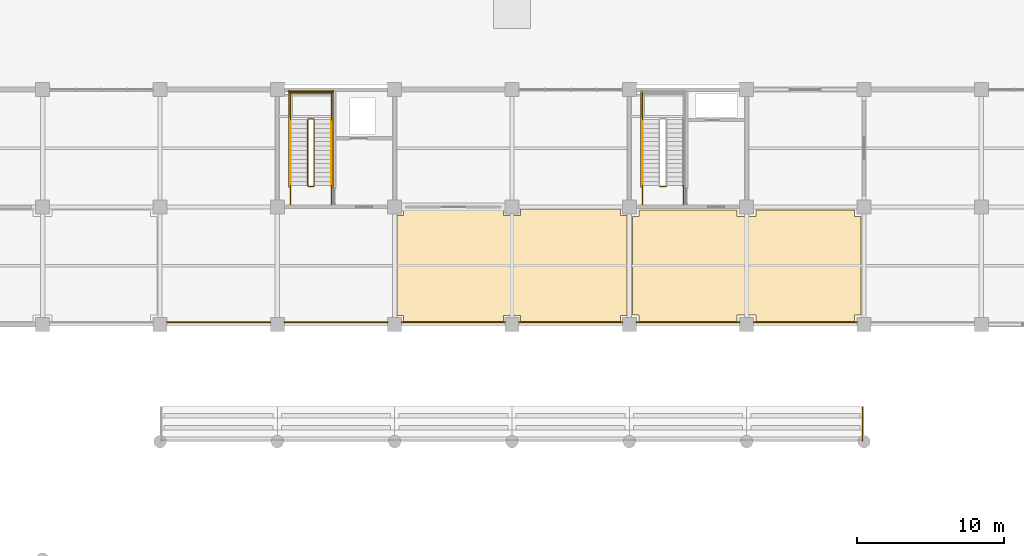
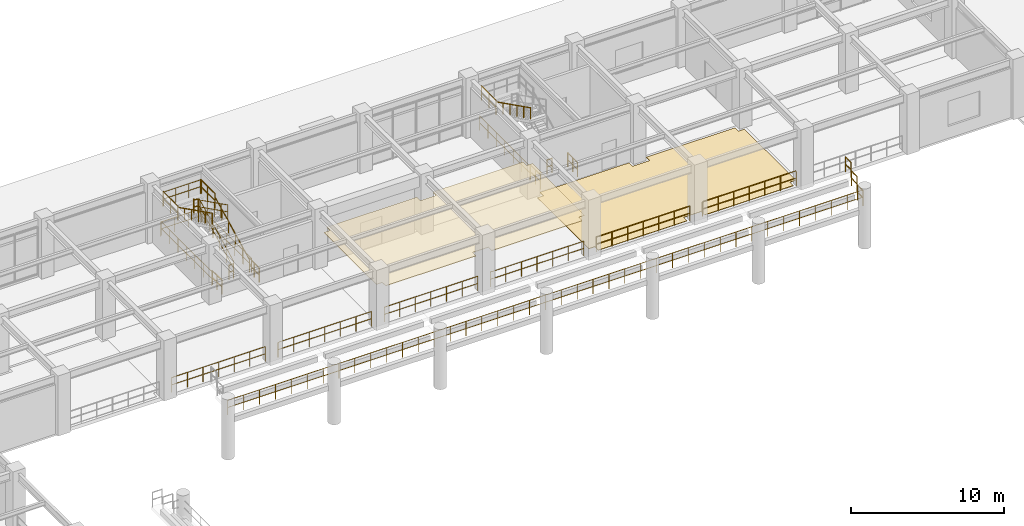
# One storey, part 107 of 109: 30 railings, 2 coverings.
"""IFC4 building model written with IfcOpenShell, lengths in metres."""

from ifc_helpers import new_model, si_unit, direction, frame, origin, origin_2d, place, context, subcontext, project, spatial, polyline, circle, outline, extrude, material, layer, layer_set, type_object, element, save


model = new_model("IFC4")

# Units and contexts
model_context = context("Model", 3, precision=1e-05, world=origin(), true_north=direction((0.0, 1.0)))
body_context = subcontext(model_context, "Body", "Model", "MODEL_VIEW")
ifc_project = project(units=[si_unit("LENGTHUNIT", "METRE"), si_unit("AREAUNIT", "SQUARE_METRE"), si_unit("VOLUMEUNIT", "CUBIC_METRE"), si_unit("PLANEANGLEUNIT", "RADIAN"), si_unit("MASSUNIT", "GRAM", prefix="KILO")], contexts=[model_context])

# Site, building, storey
site_placement = place(None, origin())
site = spatial("IfcSite", under=ifc_project, at=site_placement, CompositionType="ELEMENT")
building_placement = place(site_placement, origin())
building = spatial("IfcBuilding", under=site, at=building_placement, Name="Haebicheon Civic Stadium", CompositionType="ELEMENT")
storey_placement = place(building_placement, frame((0.0, 0.0, 9.60009765625)))
storey = spatial("IfcBuildingStorey", under=building, at=storey_placement, Name="L03", CompositionType="ELEMENT", Elevation=9.60009765625)

# Coverings
ifc_material_1 = material(Name="Perforated mineral-fibre acoustic board", Category="gypsum")
ifc_layer_1 = layer(ifc_material_1, 0.0400390625, Name="Perforated mineral-fibre acoustic board")
ifc_layer_set_1 = layer_set([ifc_layer_1], Name="Perforated mineral-fibre acoustic board")
covering_type_1 = type_object("IfcCoveringType", Name="COV-CLG-AC", PredefinedType="CEILING", material=ifc_layer_set_1)
covering_1_placement = place(storey_placement, frame((0.0, 0.0, 2.809814453125)))
element("IfcCovering", 1, at=covering_1_placement, inside=storey, type_object=covering_type_1, material=ifc_layer_set_1, Name="L03 East Bowl Club Concourse acoustic ceiling", PredefinedType="CEILING", context=body_context, shape_type="SweptSolid", body=[
    extrude(outline(polyline([(96.14501953125, 159.405029296875), (96.594970703125, 159.405029296875), (96.594970703125, 159.85498046875), (103.405029296875, 159.85498046875), (103.405029296875, 159.405029296875), (104.594970703125, 159.405029296875), (104.594970703125, 159.85498046875), (111.405029296875, 159.85498046875), (111.405029296875, 159.405029296875), (111.85498046875, 159.405029296875), (111.85498046875, 152.594970703125), (111.405029296875, 152.594970703125), (111.405029296875, 152.14501953125), (104.594970703125, 152.14501953125), (104.594970703125, 152.594970703125), (103.405029296875, 152.594970703125), (103.405029296875, 152.14501953125), (96.594970703125, 152.14501953125), (96.594970703125, 152.594970703125), (96.14501953125, 152.594970703125), (96.14501953125, 159.405029296875)])), origin(), (0.0, 0.0, 1.0), 0.0400390625),
])
ifc_material_2 = material(Name="Quartz epoxy resin mortar", Category="concrete")
ifc_layer_2 = layer(ifc_material_2, 0.030029296875, Name="Quartz epoxy resin mortar")
ifc_layer_set_2 = layer_set([ifc_layer_2], Name="Quartz epoxy resin mortar")
covering_type_2 = type_object("IfcCoveringType", Name="COV-FLR-EPX", PredefinedType="FLOORING", material=ifc_layer_set_2)
covering_2_placement = place(storey_placement, origin())
element("IfcCovering", 2, at=covering_2_placement, inside=storey, type_object=covering_type_2, material=ifc_layer_set_2, Name="L03 Club Finishing Kitchen non-slip floor finish", PredefinedType="FLOORING", context=body_context, shape_type="SweptSolid", body=[
    extrude(outline(polyline([(112.199951171875, 159.35009765625), (112.64990234375, 159.35009765625), (112.64990234375, 159.800048828125), (119.35009765625, 159.800048828125), (119.35009765625, 159.35009765625), (120.64990234375, 159.35009765625), (120.64990234375, 159.800048828125), (127.35009765625, 159.800048828125), (127.35009765625, 159.35009765625), (127.800048828125, 159.35009765625), (127.800048828125, 152.64990234375), (127.35009765625, 152.64990234375), (127.35009765625, 152.199951171875), (120.64990234375, 152.199951171875), (120.64990234375, 152.64990234375), (119.35009765625, 152.64990234375), (119.35009765625, 152.199951171875), (112.64990234375, 152.199951171875), (112.64990234375, 152.64990234375), (112.199951171875, 152.64990234375), (112.199951171875, 159.35009765625)])), origin(), (0.0, 0.0, 1.0), 0.02978515625),
])

# Railings
ifc_material_3 = material(Name="Stainless steel 316 and laminated glass", Category="steel")
railing_type_1 = type_object("IfcRailingType", Name="RL-BAL-1200", PredefinedType="BALUSTRADE", material=ifc_material_3)
for number, where, name in (
    (3, (80.47509765625, 152.139892578125, 0.0), "L03 concourse bowl-edge balustrade 058"),
    (4, (88.47509765625, 152.139892578125, 0.0), "L03 concourse bowl-edge balustrade 060"),
    (5, (96.47509765625, 152.139892578125, 0.0), "L03 concourse bowl-edge balustrade 062"),
    (6, (104.47509765625, 152.139892578125, 0.0), "L03 concourse bowl-edge balustrade 064"),
    (7, (112.47509765625, 152.139892578125, 0.0), "L03 concourse bowl-edge balustrade 066"),
    (8, (120.47509765625, 152.139892578125, 0.0), "L03 concourse bowl-edge balustrade 068"),
):
    element("IfcRailing", number, at=place(storey_placement, frame(where)), inside=storey, type_object=railing_type_1, material=ifc_material_3, Name=name, PredefinedType="BALUSTRADE", context=body_context, shape_type="SweptSolid", body=[
        extrude(circle(Radius=0.02392578125, at=origin_2d()), frame((0.0, 0.0, 1.17578125), z_axis=(1.0, 0.0, 0.0), x_axis=(0.0, 1.0, 0.0)), (0.0, 0.0, 1.0), 7.0498046875),
        extrude(circle(Radius=0.02392578125, at=origin_2d()), frame((0.0, 0.0, 0.60009765625), z_axis=(1.0, 0.0, 0.0), x_axis=(0.0, 1.0, 0.0)), (0.0, 0.0, 1.0), 7.0498046875),
        extrude(circle(Radius=0.02099609375, at=origin_2d()), origin(), (0.0, 0.0, 1.0), 1.15185546875),
        extrude(circle(Radius=0.02099609375, at=origin_2d()), frame((1.175048828125, 0.0, 0.0)), (0.0, 0.0, 1.0), 1.15185546875),
        extrude(circle(Radius=0.02099609375, at=origin_2d()), frame((2.349853515625, 0.0, 0.0)), (0.0, 0.0, 1.0), 1.15185546875),
        extrude(circle(Radius=0.02099609375, at=origin_2d()), frame((3.52490234375, 0.0, 0.0)), (0.0, 0.0, 1.0), 1.15185546875),
        extrude(circle(Radius=0.02099609375, at=origin_2d()), frame((4.699951171875, 0.0, 0.0)), (0.0, 0.0, 1.0), 1.15185546875),
        extrude(circle(Radius=0.02099609375, at=origin_2d()), frame((5.874755859375, 0.0, 0.0)), (0.0, 0.0, 1.0), 1.15185546875),
        extrude(circle(Radius=0.02099609375, at=origin_2d()), frame((7.0498046875, 0.0, 0.0)), (0.0, 0.0, 1.0), 1.15185546875),
    ])
railing_1_placement = place(storey_placement, frame((80.06005859375, 144.1201171875, 3.199951171875)))
element("IfcRailing", 9, at=railing_1_placement, inside=storey, type_object=railing_type_1, material=ifc_material_3, Name="TIER-N-U pitchside sightline balustrade", PredefinedType="BALUSTRADE", context=body_context, shape_type="SweptSolid", body=[
    extrude(circle(Radius=0.02392578125, at=origin_2d()), frame((0.0, 0.0, 1.17578125), z_axis=(1.0, 0.0, 0.0), x_axis=(0.0, 1.0, 0.0)), (0.0, 0.0, 1.0), 47.8798828125),
    extrude(circle(Radius=0.02392578125, at=origin_2d()), frame((0.0, 0.0, 0.60009765625), z_axis=(1.0, 0.0, 0.0), x_axis=(0.0, 1.0, 0.0)), (0.0, 0.0, 1.0), 47.8798828125),
    extrude(circle(Radius=0.02099609375, at=origin_2d()), origin(), (0.0, 0.0, 1.0), 1.15185546875),
    extrude(circle(Radius=0.02099609375, at=origin_2d()), frame((1.197021484375, 0.0, 0.0)), (0.0, 0.0, 1.0), 1.15185546875),
    extrude(circle(Radius=0.02099609375, at=origin_2d()), frame((2.39404296875, 0.0, 0.0)), (0.0, 0.0, 1.0), 1.15185546875),
    extrude(circle(Radius=0.02099609375, at=origin_2d()), frame((3.591064453125, 0.0, 0.0)), (0.0, 0.0, 1.0), 1.15185546875),
    extrude(circle(Radius=0.02099609375, at=origin_2d()), frame((4.7880859375, 0.0, 0.0)), (0.0, 0.0, 1.0), 1.15185546875),
    extrude(circle(Radius=0.02099609375, at=origin_2d()), frame((5.98486328125, 0.0, 0.0)), (0.0, 0.0, 1.0), 1.15185546875),
    extrude(circle(Radius=0.02099609375, at=origin_2d()), frame((7.181884765625, 0.0, 0.0)), (0.0, 0.0, 1.0), 1.15185546875),
    extrude(circle(Radius=0.02099609375, at=origin_2d()), frame((8.37890625, 0.0, 0.0)), (0.0, 0.0, 1.0), 1.15185546875),
    extrude(circle(Radius=0.02099609375, at=origin_2d()), frame((9.575927734375, 0.0, 0.0)), (0.0, 0.0, 1.0), 1.15185546875),
    extrude(circle(Radius=0.02099609375, at=origin_2d()), frame((10.77294921875, 0.0, 0.0)), (0.0, 0.0, 1.0), 1.15185546875),
    extrude(circle(Radius=0.02099609375, at=origin_2d()), frame((11.969970703125, 0.0, 0.0)), (0.0, 0.0, 1.0), 1.15185546875),
    extrude(circle(Radius=0.02099609375, at=origin_2d()), frame((13.1669921875, 0.0, 0.0)), (0.0, 0.0, 1.0), 1.15185546875),
    extrude(circle(Radius=0.02099609375, at=origin_2d()), frame((14.364013671875, 0.0, 0.0)), (0.0, 0.0, 1.0), 1.15185546875),
    extrude(circle(Radius=0.02099609375, at=origin_2d()), frame((15.56103515625, 0.0, 0.0)), (0.0, 0.0, 1.0), 1.15185546875),
    extrude(circle(Radius=0.02099609375, at=origin_2d()), frame((16.758056640625, 0.0, 0.0)), (0.0, 0.0, 1.0), 1.15185546875),
    extrude(circle(Radius=0.02099609375, at=origin_2d()), frame((17.955078125, 0.0, 0.0)), (0.0, 0.0, 1.0), 1.15185546875),
    extrude(circle(Radius=0.02099609375, at=origin_2d()), frame((19.15185546875, 0.0, 0.0)), (0.0, 0.0, 1.0), 1.15185546875),
    extrude(circle(Radius=0.02099609375, at=origin_2d()), frame((20.348876953125, 0.0, 0.0)), (0.0, 0.0, 1.0), 1.15185546875),
    extrude(circle(Radius=0.02099609375, at=origin_2d()), frame((21.5458984375, 0.0, 0.0)), (0.0, 0.0, 1.0), 1.15185546875),
    extrude(circle(Radius=0.02099609375, at=origin_2d()), frame((22.742919921875, 0.0, 0.0)), (0.0, 0.0, 1.0), 1.15185546875),
    extrude(circle(Radius=0.02099609375, at=origin_2d()), frame((23.93994140625, 0.0, 0.0)), (0.0, 0.0, 1.0), 1.15185546875),
    extrude(circle(Radius=0.02099609375, at=origin_2d()), frame((25.136962890625, 0.0, 0.0)), (0.0, 0.0, 1.0), 1.15185546875),
    extrude(circle(Radius=0.02099609375, at=origin_2d()), frame((26.333984375, 0.0, 0.0)), (0.0, 0.0, 1.0), 1.15185546875),
    extrude(circle(Radius=0.02099609375, at=origin_2d()), frame((27.531005859375, 0.0, 0.0)), (0.0, 0.0, 1.0), 1.15185546875),
    extrude(circle(Radius=0.02099609375, at=origin_2d()), frame((28.72802734375, 0.0, 0.0)), (0.0, 0.0, 1.0), 1.15185546875),
    extrude(circle(Radius=0.02099609375, at=origin_2d()), frame((29.9248046875, 0.0, 0.0)), (0.0, 0.0, 1.0), 1.15185546875),
    extrude(circle(Radius=0.02099609375, at=origin_2d()), frame((31.121826171875, 0.0, 0.0)), (0.0, 0.0, 1.0), 1.15185546875),
    extrude(circle(Radius=0.02099609375, at=origin_2d()), frame((32.31884765625, 0.0, 0.0)), (0.0, 0.0, 1.0), 1.15185546875),
    extrude(circle(Radius=0.02099609375, at=origin_2d()), frame((33.515869140625, 0.0, 0.0)), (0.0, 0.0, 1.0), 1.15185546875),
    extrude(circle(Radius=0.02099609375, at=origin_2d()), frame((34.712890625, 0.0, 0.0)), (0.0, 0.0, 1.0), 1.15185546875),
    extrude(circle(Radius=0.02099609375, at=origin_2d()), frame((35.909912109375, 0.0, 0.0)), (0.0, 0.0, 1.0), 1.15185546875),
    extrude(circle(Radius=0.02099609375, at=origin_2d()), frame((37.10693359375, 0.0, 0.0)), (0.0, 0.0, 1.0), 1.15185546875),
    extrude(circle(Radius=0.02099609375, at=origin_2d()), frame((38.303955078125, 0.0, 0.0)), (0.0, 0.0, 1.0), 1.15185546875),
    extrude(circle(Radius=0.02099609375, at=origin_2d()), frame((39.5009765625, 0.0, 0.0)), (0.0, 0.0, 1.0), 1.15185546875),
    extrude(circle(Radius=0.02099609375, at=origin_2d()), frame((40.697998046875, 0.0, 0.0)), (0.0, 0.0, 1.0), 1.15185546875),
    extrude(circle(Radius=0.02099609375, at=origin_2d()), frame((41.89501953125, 0.0, 0.0)), (0.0, 0.0, 1.0), 1.15185546875),
    extrude(circle(Radius=0.02099609375, at=origin_2d()), frame((43.091796875, 0.0, 0.0)), (0.0, 0.0, 1.0), 1.15185546875),
    extrude(circle(Radius=0.02099609375, at=origin_2d()), frame((44.288818359375, 0.0, 0.0)), (0.0, 0.0, 1.0), 1.15185546875),
    extrude(circle(Radius=0.02099609375, at=origin_2d()), frame((45.48583984375, 0.0, 0.0)), (0.0, 0.0, 1.0), 1.15185546875),
    extrude(circle(Radius=0.02099609375, at=origin_2d()), frame((46.682861328125, 0.0, 0.0)), (0.0, 0.0, 1.0), 1.15185546875),
    extrude(circle(Radius=0.02099609375, at=origin_2d()), frame((47.8798828125, 0.0, 0.0)), (0.0, 0.0, 1.0), 1.15185546875),
])
for number, where, name in (
    (10, (127.89990234375, 144.0400390625, 3.199951171875), "TIER-N-U end-aisle side guard E.1"),
    (11, (127.89990234375, 144.840087890625, 3.843994140625), "TIER-N-U end-aisle side guard E.2"),
):
    element("IfcRailing", number, at=place(storey_placement, frame(where)), inside=storey, type_object=railing_type_1, material=ifc_material_3, Name=name, PredefinedType="BALUSTRADE", context=body_context, shape_type="SweptSolid", body=[
        extrude(circle(Radius=0.02392578125, at=origin_2d()), frame((0.0, 0.0, 1.17578125), z_axis=(0.0, 1.0, 0.0), x_axis=(-1.0, 0.0, 0.0)), (0.0, 0.0, 1.0), 0.719970703125),
        extrude(circle(Radius=0.02392578125, at=origin_2d()), frame((0.0, 0.0, 0.60009765625), z_axis=(0.0, 1.0, 0.0), x_axis=(-1.0, 0.0, 0.0)), (0.0, 0.0, 1.0), 0.719970703125),
        extrude(circle(Radius=0.02099609375, at=origin_2d()), origin(), (0.0, 0.0, 1.0), 1.15185546875),
        extrude(circle(Radius=0.02099609375, at=origin_2d()), frame((0.0, 0.719970703125, 0.0)), (0.0, 0.0, 1.0), 1.15185546875),
    ])
railing_2_placement = place(storey_placement, frame((127.89990234375, 145.639892578125, 4.489013671875)))
element("IfcRailing", 12, at=railing_2_placement, inside=storey, type_object=railing_type_1, material=ifc_material_3, Name="TIER-N-U end-aisle side guard E.3", PredefinedType="BALUSTRADE", context=body_context, shape_type="SweptSolid", body=[
    extrude(circle(Radius=0.02392578125, at=origin_2d()), frame((0.0, 0.0, 1.17578125), z_axis=(0.0, 1.0, 0.0), x_axis=(-1.0, 0.0, 0.0)), (0.0, 0.0, 1.0), 0.72021484375),
    extrude(circle(Radius=0.02392578125, at=origin_2d()), frame((0.0, 0.0, 0.60009765625), z_axis=(0.0, 1.0, 0.0), x_axis=(-1.0, 0.0, 0.0)), (0.0, 0.0, 1.0), 0.72021484375),
    extrude(circle(Radius=0.02099609375, at=origin_2d()), origin(), (0.0, 0.0, 1.0), 1.15185546875),
    extrude(circle(Radius=0.02099609375, at=origin_2d()), frame((0.0, 0.72021484375, 0.0)), (0.0, 0.0, 1.0), 1.15185546875),
])
ifc_material_4 = material(Name="Galvanised painted steel SM355", Category="steel")
railing_type_2 = type_object("IfcRailingType", Name="RL-GRD-1150", PredefinedType="GUARDRAIL", material=ifc_material_4)
railing_3_placement = place(storey_placement, frame((90.510009765625, 161.449951171875, 0.14990234375)))
element("IfcRailing", 13, at=railing_3_placement, inside=storey, type_object=railing_type_2, material=ifc_material_4, Name="L03 ST-08 stair guard 1", PredefinedType="GUARDRAIL", context=body_context, shape_type="SweptSolid", body=[
    extrude(circle(Radius=0.02392578125, at=origin_2d()), frame((0.0, 0.0, 1.1259765625), z_axis=(0.0, 0.894427191, 0.4472135955), x_axis=(-1.0, 0.0, 0.0)), (0.0, 0.0, 1.0), 5.03125),
    extrude(circle(Radius=0.02392578125, at=origin_2d()), frame((0.0, 0.0, 0.574951171875), z_axis=(0.0, 0.894427191, 0.4472135955), x_axis=(-1.0, 0.0, 0.0)), (0.0, 0.0, 1.0), 5.03125),
    extrude(circle(Radius=0.02099609375, at=origin_2d()), origin(), (0.0, 0.0, 1.0), 1.101806640625),
    extrude(circle(Radius=0.02099609375, at=origin_2d()), frame((0.0, 0.89990234375, 0.449951171875)), (0.0, 0.0, 1.0), 1.101806640625),
    extrude(circle(Radius=0.02099609375, at=origin_2d()), frame((0.0, 1.800048828125, 0.89990234375)), (0.0, 0.0, 1.0), 1.101806640625),
    extrude(circle(Radius=0.02099609375, at=origin_2d()), frame((0.0, 2.699951171875, 1.35009765625)), (0.0, 0.0, 1.0), 1.101806640625),
    extrude(circle(Radius=0.02099609375, at=origin_2d()), frame((0.0, 3.60009765625, 1.800048828125)), (0.0, 0.0, 1.0), 1.101806640625),
    extrude(circle(Radius=0.02099609375, at=origin_2d()), frame((0.0, 4.5, 2.25)), (0.0, 0.0, 1.0), 1.101806640625),
])
railing_4_placement = place(storey_placement, frame((90.4599609375, 166.0, 2.39990234375)))
element("IfcRailing", 14, at=railing_4_placement, inside=storey, type_object=railing_type_2, material=ifc_material_4, Name="L03 ST-08 stair guard 2", PredefinedType="GUARDRAIL", context=body_context, shape_type="SweptSolid", body=[
    extrude(circle(Radius=0.02392578125, at=origin_2d()), frame((0.0, 0.0, 1.1259765625), z_axis=(-1.0, 0.0, 0.0), x_axis=(0.0, -1.0, 0.0)), (0.0, 0.0, 1.0), 0.33984375),
    extrude(circle(Radius=0.02392578125, at=origin_2d()), frame((0.0, 0.0, 0.574951171875), z_axis=(-1.0, 0.0, 0.0), x_axis=(0.0, -1.0, 0.0)), (0.0, 0.0, 1.0), 0.33984375),
    extrude(circle(Radius=0.02099609375, at=origin_2d()), origin(), (0.0, 0.0, 1.0), 1.101806640625),
    extrude(circle(Radius=0.02099609375, at=origin_2d()), frame((-0.33984375, 0.0, 0.0)), (0.0, 0.0, 1.0), 1.101806640625),
])
for number, where, name in (
    (15, (91.68994140625, 165.949951171875, 2.39990234375), "L03 ST-08 stair guard 3"),
    (16, (88.889892578125, 165.949951171875, 2.39990234375), "L03 ST-08 stair guard 4"),
):
    element("IfcRailing", number, at=place(storey_placement, frame(where)), inside=storey, type_object=railing_type_2, material=ifc_material_4, Name=name, PredefinedType="GUARDRAIL", context=body_context, shape_type="SweptSolid", body=[
        extrude(circle(Radius=0.02392578125, at=origin_2d()), frame((0.0, 0.0, 1.1259765625), z_axis=(0.0, 1.0, 0.0), x_axis=(-1.0, 0.0, 0.0)), (0.0, 0.0, 1.0), 1.89013671875),
        extrude(circle(Radius=0.02392578125, at=origin_2d()), frame((0.0, 0.0, 0.574951171875), z_axis=(0.0, 1.0, 0.0), x_axis=(-1.0, 0.0, 0.0)), (0.0, 0.0, 1.0), 1.89013671875),
        extrude(circle(Radius=0.02099609375, at=origin_2d()), origin(), (0.0, 0.0, 1.0), 1.101806640625),
        extrude(circle(Radius=0.02099609375, at=origin_2d()), frame((0.0, 0.945068359375, 0.0)), (0.0, 0.0, 1.0), 1.101806640625),
        extrude(circle(Radius=0.02099609375, at=origin_2d()), frame((0.0, 1.89013671875, 0.0)), (0.0, 0.0, 1.0), 1.101806640625),
    ])
railing_5_placement = place(storey_placement, frame((91.739990234375, 167.7900390625, 2.39990234375)))
element("IfcRailing", 17, at=railing_5_placement, inside=storey, type_object=railing_type_2, material=ifc_material_4, Name="L03 ST-08 stair guard 5", PredefinedType="GUARDRAIL", context=body_context, shape_type="SweptSolid", body=[
    extrude(circle(Radius=0.02392578125, at=origin_2d()), frame((0.0, 0.0, 1.1259765625), z_axis=(-1.0, 0.0, 0.0), x_axis=(0.0, -1.0, 0.0)), (0.0, 0.0, 1.0), 2.89990234375),
    extrude(circle(Radius=0.02392578125, at=origin_2d()), frame((0.0, 0.0, 0.574951171875), z_axis=(-1.0, 0.0, 0.0), x_axis=(0.0, -1.0, 0.0)), (0.0, 0.0, 1.0), 2.89990234375),
    extrude(circle(Radius=0.02099609375, at=origin_2d()), origin(), (0.0, 0.0, 1.0), 1.101806640625),
    extrude(circle(Radius=0.02099609375, at=origin_2d()), frame((-0.966552734375, 0.0, 0.0)), (0.0, 0.0, 1.0), 1.101806640625),
    extrude(circle(Radius=0.02099609375, at=origin_2d()), frame((-1.933349609375, 0.0, 0.0)), (0.0, 0.0, 1.0), 1.101806640625),
    extrude(circle(Radius=0.02099609375, at=origin_2d()), frame((-2.89990234375, 0.0, 0.0)), (0.0, 0.0, 1.0), 1.101806640625),
])
railing_6_placement = place(storey_placement, frame((90.070068359375, 165.949951171875, 2.5498046875)))
element("IfcRailing", 18, at=railing_6_placement, inside=storey, type_object=railing_type_2, material=ifc_material_4, Name="L03 ST-08 stair guard 6", PredefinedType="GUARDRAIL", context=body_context, shape_type="SweptSolid", body=[
    extrude(circle(Radius=0.02392578125, at=origin_2d()), frame((0.0, 0.0, 1.1259765625), z_axis=(0.0, -0.894427191, 0.4472135955), x_axis=(1.0, 0.0, 0.0)), (0.0, 0.0, 1.0), 5.03125),
    extrude(circle(Radius=0.02392578125, at=origin_2d()), frame((0.0, 0.0, 0.574951171875), z_axis=(0.0, -0.894427191, 0.4472135955), x_axis=(1.0, 0.0, 0.0)), (0.0, 0.0, 1.0), 5.03125),
    extrude(circle(Radius=0.02099609375, at=origin_2d()), origin(), (0.0, 0.0, 1.0), 1.101806640625),
    extrude(circle(Radius=0.02099609375, at=origin_2d()), frame((0.0, -0.89990234375, 0.449951171875)), (0.0, 0.0, 1.0), 1.101806640625),
    extrude(circle(Radius=0.02099609375, at=origin_2d()), frame((0.0, -1.800048828125, 0.89990234375)), (0.0, 0.0, 1.0), 1.101806640625),
    extrude(circle(Radius=0.02099609375, at=origin_2d()), frame((0.0, -2.699951171875, 1.35009765625)), (0.0, 0.0, 1.0), 1.101806640625),
    extrude(circle(Radius=0.02099609375, at=origin_2d()), frame((0.0, -3.60009765625, 1.800048828125)), (0.0, 0.0, 1.0), 1.101806640625),
    extrude(circle(Radius=0.02099609375, at=origin_2d()), frame((0.0, -4.5, 2.25)), (0.0, 0.0, 1.0), 1.101806640625),
])
railing_7_placement = place(storey_placement, frame((90.4599609375, 161.39990234375, 0.0)))
element("IfcRailing", 19, at=railing_7_placement, inside=storey, type_object=railing_type_2, material=ifc_material_4, Name="L03 ST-08 stair guard 7", PredefinedType="GUARDRAIL", context=body_context, shape_type="SweptSolid", body=[
    extrude(circle(Radius=0.02392578125, at=origin_2d()), frame((0.0, 0.0, 1.1259765625), z_axis=(-1.0, 0.0, 0.0), x_axis=(0.0, -1.0, 0.0)), (0.0, 0.0, 1.0), 0.33984375),
    extrude(circle(Radius=0.02392578125, at=origin_2d()), frame((0.0, 0.0, 0.574951171875), z_axis=(-1.0, 0.0, 0.0), x_axis=(0.0, -1.0, 0.0)), (0.0, 0.0, 1.0), 0.33984375),
    extrude(circle(Radius=0.02099609375, at=origin_2d()), origin(), (0.0, 0.0, 1.0), 1.101806640625),
    extrude(circle(Radius=0.02099609375, at=origin_2d()), frame((-0.33984375, 0.0, 0.0)), (0.0, 0.0, 1.0), 1.101806640625),
])
for number, where, name in (
    (20, (91.68994140625, 160.159912109375, 0.0), "L03 ST-08 stair guard 8"),
    (21, (88.889892578125, 160.159912109375, 0.0), "L03 ST-08 stair guard 9"),
):
    element("IfcRailing", number, at=place(storey_placement, frame(where)), inside=storey, type_object=railing_type_2, material=ifc_material_4, Name=name, PredefinedType="GUARDRAIL", context=body_context, shape_type="SweptSolid", body=[
        extrude(circle(Radius=0.02392578125, at=origin_2d()), frame((0.0, 0.0, 1.1259765625), z_axis=(0.0, 1.0, 0.0), x_axis=(-1.0, 0.0, 0.0)), (0.0, 0.0, 1.0), 1.2900390625),
        extrude(circle(Radius=0.02392578125, at=origin_2d()), frame((0.0, 0.0, 0.574951171875), z_axis=(0.0, 1.0, 0.0), x_axis=(-1.0, 0.0, 0.0)), (0.0, 0.0, 1.0), 1.2900390625),
        extrude(circle(Radius=0.02099609375, at=origin_2d()), origin(), (0.0, 0.0, 1.0), 1.101806640625),
        extrude(circle(Radius=0.02099609375, at=origin_2d()), frame((0.0, 0.64501953125, 0.0)), (0.0, 0.0, 1.0), 1.101806640625),
        extrude(circle(Radius=0.02099609375, at=origin_2d()), frame((0.0, 1.2900390625, 0.0)), (0.0, 0.0, 1.0), 1.101806640625),
    ])
for number, where, name in (
    (22, (91.7900390625, 161.35009765625, 0.0), "L03 ST-08 stair guard 10"),
    (23, (88.7900390625, 161.35009765625, 0.0), "L03 ST-08 stair guard 11"),
):
    element("IfcRailing", number, at=place(storey_placement, frame(where)), inside=storey, type_object=railing_type_2, material=ifc_material_4, Name=name, PredefinedType="GUARDRAIL", context=body_context, shape_type="SweptSolid", body=[
        extrude(circle(Radius=0.02392578125, at=origin_2d()), frame((0.0, 0.0, 1.1259765625), z_axis=(0.0, 1.0, 0.0), x_axis=(-1.0, 0.0, 0.0)), (0.0, 0.0, 1.0), 6.58984375),
        extrude(circle(Radius=0.02392578125, at=origin_2d()), frame((0.0, 0.0, 0.574951171875), z_axis=(0.0, 1.0, 0.0), x_axis=(-1.0, 0.0, 0.0)), (0.0, 0.0, 1.0), 6.58984375),
        extrude(circle(Radius=0.02099609375, at=origin_2d()), origin(), (0.0, 0.0, 1.0), 1.101806640625),
        extrude(circle(Radius=0.02099609375, at=origin_2d()), frame((0.0, 1.098388671875, 0.0)), (0.0, 0.0, 1.0), 1.101806640625),
        extrude(circle(Radius=0.02099609375, at=origin_2d()), frame((0.0, 2.196533203125, 0.0)), (0.0, 0.0, 1.0), 1.101806640625),
        extrude(circle(Radius=0.02099609375, at=origin_2d()), frame((0.0, 3.294921875, 0.0)), (0.0, 0.0, 1.0), 1.101806640625),
        extrude(circle(Radius=0.02099609375, at=origin_2d()), frame((0.0, 4.393310546875, 0.0)), (0.0, 0.0, 1.0), 1.101806640625),
        extrude(circle(Radius=0.02099609375, at=origin_2d()), frame((0.0, 5.491455078125, 0.0)), (0.0, 0.0, 1.0), 1.101806640625),
        extrude(circle(Radius=0.02099609375, at=origin_2d()), frame((0.0, 6.58984375, 0.0)), (0.0, 0.0, 1.0), 1.101806640625),
    ])
railing_8_placement = place(storey_placement, frame((91.840087890625, 167.889892578125, 0.0)))
element("IfcRailing", 24, at=railing_8_placement, inside=storey, type_object=railing_type_2, material=ifc_material_4, Name="L03 ST-08 stair guard 12", PredefinedType="GUARDRAIL", context=body_context, shape_type="SweptSolid", body=[
    extrude(circle(Radius=0.02392578125, at=origin_2d()), frame((0.0, 0.0, 1.1259765625), z_axis=(-1.0, 0.0, 0.0), x_axis=(0.0, -1.0, 0.0)), (0.0, 0.0, 1.0), 3.10009765625),
    extrude(circle(Radius=0.02392578125, at=origin_2d()), frame((0.0, 0.0, 0.574951171875), z_axis=(-1.0, 0.0, 0.0), x_axis=(0.0, -1.0, 0.0)), (0.0, 0.0, 1.0), 3.10009765625),
    extrude(circle(Radius=0.02099609375, at=origin_2d()), origin(), (0.0, 0.0, 1.0), 1.101806640625),
    extrude(circle(Radius=0.02099609375, at=origin_2d()), frame((-1.033447265625, 0.0, 0.0)), (0.0, 0.0, 1.0), 1.101806640625),
    extrude(circle(Radius=0.02099609375, at=origin_2d()), frame((-2.066650390625, 0.0, 0.0)), (0.0, 0.0, 1.0), 1.101806640625),
    extrude(circle(Radius=0.02099609375, at=origin_2d()), frame((-3.10009765625, 0.0, 0.0)), (0.0, 0.0, 1.0), 1.101806640625),
])
railing_9_placement = place(storey_placement, frame((112.889892578125, 165.949951171875, 2.39990234375)))
element("IfcRailing", 25, at=railing_9_placement, inside=storey, type_object=railing_type_2, material=ifc_material_4, Name="L03 ST-09 stair guard 4", PredefinedType="GUARDRAIL", context=body_context, shape_type="SweptSolid", body=[
    extrude(circle(Radius=0.02392578125, at=origin_2d()), frame((0.0, 0.0, 1.1259765625), z_axis=(0.0, 1.0, 0.0), x_axis=(-1.0, 0.0, 0.0)), (0.0, 0.0, 1.0), 1.89013671875),
    extrude(circle(Radius=0.02392578125, at=origin_2d()), frame((0.0, 0.0, 0.574951171875), z_axis=(0.0, 1.0, 0.0), x_axis=(-1.0, 0.0, 0.0)), (0.0, 0.0, 1.0), 1.89013671875),
    extrude(circle(Radius=0.02099609375, at=origin_2d()), origin(), (0.0, 0.0, 1.0), 1.101806640625),
    extrude(circle(Radius=0.02099609375, at=origin_2d()), frame((0.0, 0.945068359375, 0.0)), (0.0, 0.0, 1.0), 1.101806640625),
    extrude(circle(Radius=0.02099609375, at=origin_2d()), frame((0.0, 1.89013671875, 0.0)), (0.0, 0.0, 1.0), 1.101806640625),
])
railing_10_placement = place(storey_placement, frame((114.47998046875, 161.39990234375, 0.0)))
element("IfcRailing", 26, at=railing_10_placement, inside=storey, type_object=railing_type_2, material=ifc_material_4, Name="L03 ST-09 stair guard 7", PredefinedType="GUARDRAIL", context=body_context, shape_type="SweptSolid", body=[
    extrude(circle(Radius=0.02392578125, at=origin_2d()), frame((0.0, 0.0, 1.1259765625), z_axis=(-1.0, 0.0, 0.0), x_axis=(0.0, -1.0, 0.0)), (0.0, 0.0, 1.0), 0.3798828125),
    extrude(circle(Radius=0.02392578125, at=origin_2d()), frame((0.0, 0.0, 0.574951171875), z_axis=(-1.0, 0.0, 0.0), x_axis=(0.0, -1.0, 0.0)), (0.0, 0.0, 1.0), 0.3798828125),
    extrude(circle(Radius=0.02099609375, at=origin_2d()), origin(), (0.0, 0.0, 1.0), 1.101806640625),
    extrude(circle(Radius=0.02099609375, at=origin_2d()), frame((-0.3798828125, 0.0, 0.0)), (0.0, 0.0, 1.0), 1.101806640625),
])
for number, where, name in (
    (27, (115.68994140625, 160.159912109375, 0.0), "L03 ST-09 stair guard 8"),
    (28, (112.889892578125, 160.159912109375, 0.0), "L03 ST-09 stair guard 9"),
):
    element("IfcRailing", number, at=place(storey_placement, frame(where)), inside=storey, type_object=railing_type_2, material=ifc_material_4, Name=name, PredefinedType="GUARDRAIL", context=body_context, shape_type="SweptSolid", body=[
        extrude(circle(Radius=0.02392578125, at=origin_2d()), frame((0.0, 0.0, 1.1259765625), z_axis=(0.0, 1.0, 0.0), x_axis=(-1.0, 0.0, 0.0)), (0.0, 0.0, 1.0), 1.2900390625),
        extrude(circle(Radius=0.02392578125, at=origin_2d()), frame((0.0, 0.0, 0.574951171875), z_axis=(0.0, 1.0, 0.0), x_axis=(-1.0, 0.0, 0.0)), (0.0, 0.0, 1.0), 1.2900390625),
        extrude(circle(Radius=0.02099609375, at=origin_2d()), origin(), (0.0, 0.0, 1.0), 1.101806640625),
        extrude(circle(Radius=0.02099609375, at=origin_2d()), frame((0.0, 0.64501953125, 0.0)), (0.0, 0.0, 1.0), 1.101806640625),
        extrude(circle(Radius=0.02099609375, at=origin_2d()), frame((0.0, 1.2900390625, 0.0)), (0.0, 0.0, 1.0), 1.101806640625),
    ])
railing_11_placement = place(storey_placement, frame((112.7900390625, 161.35009765625, 0.0)))
element("IfcRailing", 29, at=railing_11_placement, inside=storey, type_object=railing_type_2, material=ifc_material_4, Name="L03 ST-09 stair guard 11", PredefinedType="GUARDRAIL", context=body_context, shape_type="SweptSolid", body=[
    extrude(circle(Radius=0.02392578125, at=origin_2d()), frame((0.0, 0.0, 1.1259765625), z_axis=(0.0, 1.0, 0.0), x_axis=(-1.0, 0.0, 0.0)), (0.0, 0.0, 1.0), 6.58984375),
    extrude(circle(Radius=0.02392578125, at=origin_2d()), frame((0.0, 0.0, 0.574951171875), z_axis=(0.0, 1.0, 0.0), x_axis=(-1.0, 0.0, 0.0)), (0.0, 0.0, 1.0), 6.58984375),
    extrude(circle(Radius=0.02099609375, at=origin_2d()), origin(), (0.0, 0.0, 1.0), 1.101806640625),
    extrude(circle(Radius=0.02099609375, at=origin_2d()), frame((0.0, 1.098388671875, 0.0)), (0.0, 0.0, 1.0), 1.101806640625),
    extrude(circle(Radius=0.02099609375, at=origin_2d()), frame((0.0, 2.196533203125, 0.0)), (0.0, 0.0, 1.0), 1.101806640625),
    extrude(circle(Radius=0.02099609375, at=origin_2d()), frame((0.0, 3.294921875, 0.0)), (0.0, 0.0, 1.0), 1.101806640625),
    extrude(circle(Radius=0.02099609375, at=origin_2d()), frame((0.0, 4.393310546875, 0.0)), (0.0, 0.0, 1.0), 1.101806640625),
    extrude(circle(Radius=0.02099609375, at=origin_2d()), frame((0.0, 5.491455078125, 0.0)), (0.0, 0.0, 1.0), 1.101806640625),
    extrude(circle(Radius=0.02099609375, at=origin_2d()), frame((0.0, 6.58984375, 0.0)), (0.0, 0.0, 1.0), 1.101806640625),
])
ifc_material_5 = material(Name="Stainless steel 316", Category="steel")
railing_type_3 = type_object("IfcRailingType", Name="RL-HND-900", PredefinedType="HANDRAIL", material=ifc_material_5)
railing_12_placement = place(storey_placement, frame((91.68994140625, 161.449951171875, 0.14990234375)))
element("IfcRailing", 30, at=railing_12_placement, inside=storey, type_object=railing_type_3, material=ifc_material_5, Name="L03 ST-08 stair handrail 1", PredefinedType="HANDRAIL", context=body_context, shape_type="SweptSolid", body=[
    extrude(circle(Radius=0.02392578125, at=origin_2d()), frame((0.0, 0.0, 0.8759765625), z_axis=(0.0, 0.894427191, 0.4472135955), x_axis=(-1.0, 0.0, 0.0)), (0.0, 0.0, 1.0), 5.03125),
    extrude(circle(Radius=0.02099609375, at=origin_2d()), origin(), (0.0, 0.0, 1.0), 0.851806640625),
    extrude(circle(Radius=0.02099609375, at=origin_2d()), frame((0.0, 0.89990234375, 0.449951171875)), (0.0, 0.0, 1.0), 0.851806640625),
    extrude(circle(Radius=0.02099609375, at=origin_2d()), frame((0.0, 1.800048828125, 0.89990234375)), (0.0, 0.0, 1.0), 0.851806640625),
    extrude(circle(Radius=0.02099609375, at=origin_2d()), frame((0.0, 2.699951171875, 1.35009765625)), (0.0, 0.0, 1.0), 0.851806640625),
    extrude(circle(Radius=0.02099609375, at=origin_2d()), frame((0.0, 3.60009765625, 1.800048828125)), (0.0, 0.0, 1.0), 0.851806640625),
    extrude(circle(Radius=0.02099609375, at=origin_2d()), frame((0.0, 4.5, 2.25)), (0.0, 0.0, 1.0), 0.851806640625),
])
for number, where, name in (
    (31, (88.889892578125, 165.949951171875, 2.5498046875), "L03 ST-08 stair handrail 2"),
    (32, (112.889892578125, 165.949951171875, 2.5498046875), "L03 ST-09 stair handrail 2"),
):
    element("IfcRailing", number, at=place(storey_placement, frame(where)), inside=storey, type_object=railing_type_3, material=ifc_material_5, Name=name, PredefinedType="HANDRAIL", context=body_context, shape_type="SweptSolid", body=[
        extrude(circle(Radius=0.02392578125, at=origin_2d()), frame((0.0, 0.0, 0.8759765625), z_axis=(0.0, -0.894427191, 0.4472135955), x_axis=(1.0, 0.0, 0.0)), (0.0, 0.0, 1.0), 5.03125),
        extrude(circle(Radius=0.02099609375, at=origin_2d()), origin(), (0.0, 0.0, 1.0), 0.851806640625),
        extrude(circle(Radius=0.02099609375, at=origin_2d()), frame((0.0, -0.89990234375, 0.449951171875)), (0.0, 0.0, 1.0), 0.851806640625),
        extrude(circle(Radius=0.02099609375, at=origin_2d()), frame((0.0, -1.800048828125, 0.89990234375)), (0.0, 0.0, 1.0), 0.851806640625),
        extrude(circle(Radius=0.02099609375, at=origin_2d()), frame((0.0, -2.699951171875, 1.35009765625)), (0.0, 0.0, 1.0), 0.851806640625),
        extrude(circle(Radius=0.02099609375, at=origin_2d()), frame((0.0, -3.60009765625, 1.800048828125)), (0.0, 0.0, 1.0), 0.851806640625),
        extrude(circle(Radius=0.02099609375, at=origin_2d()), frame((0.0, -4.5, 2.25)), (0.0, 0.0, 1.0), 0.851806640625),
    ])

save(model, "model.ifc")
